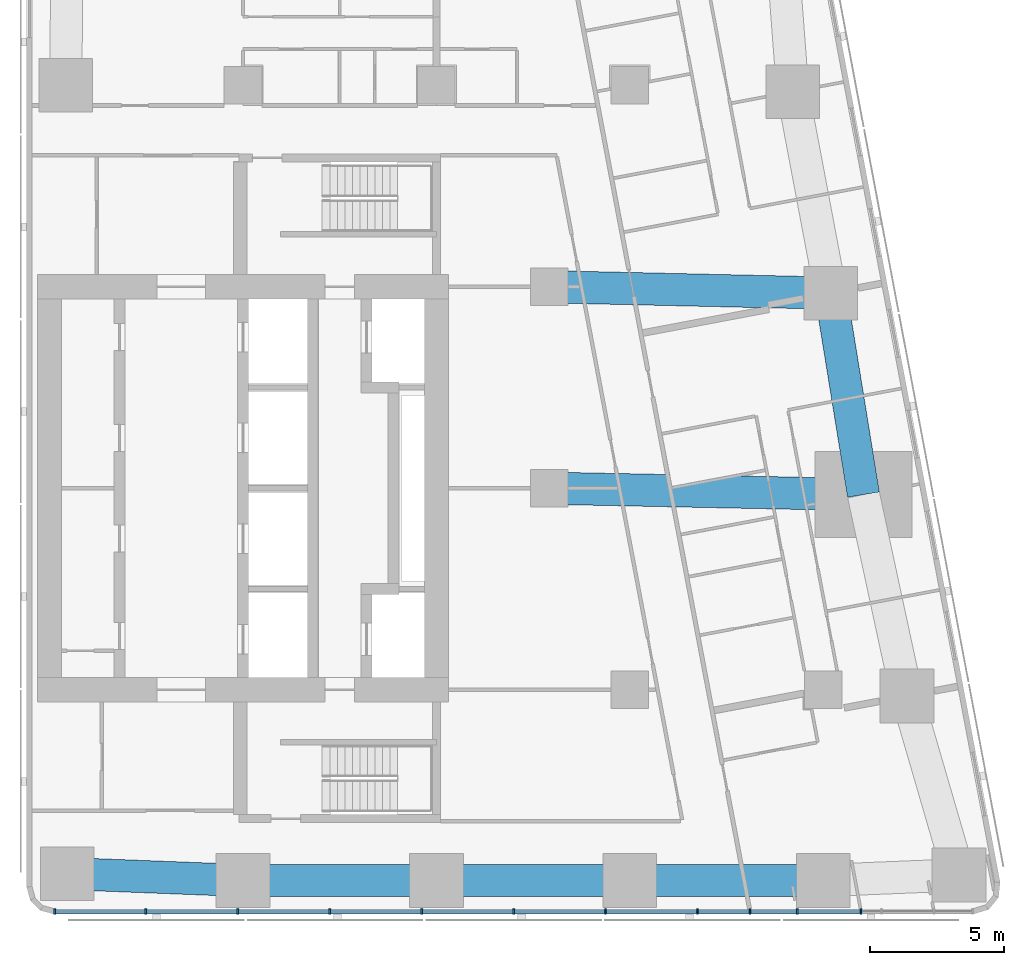
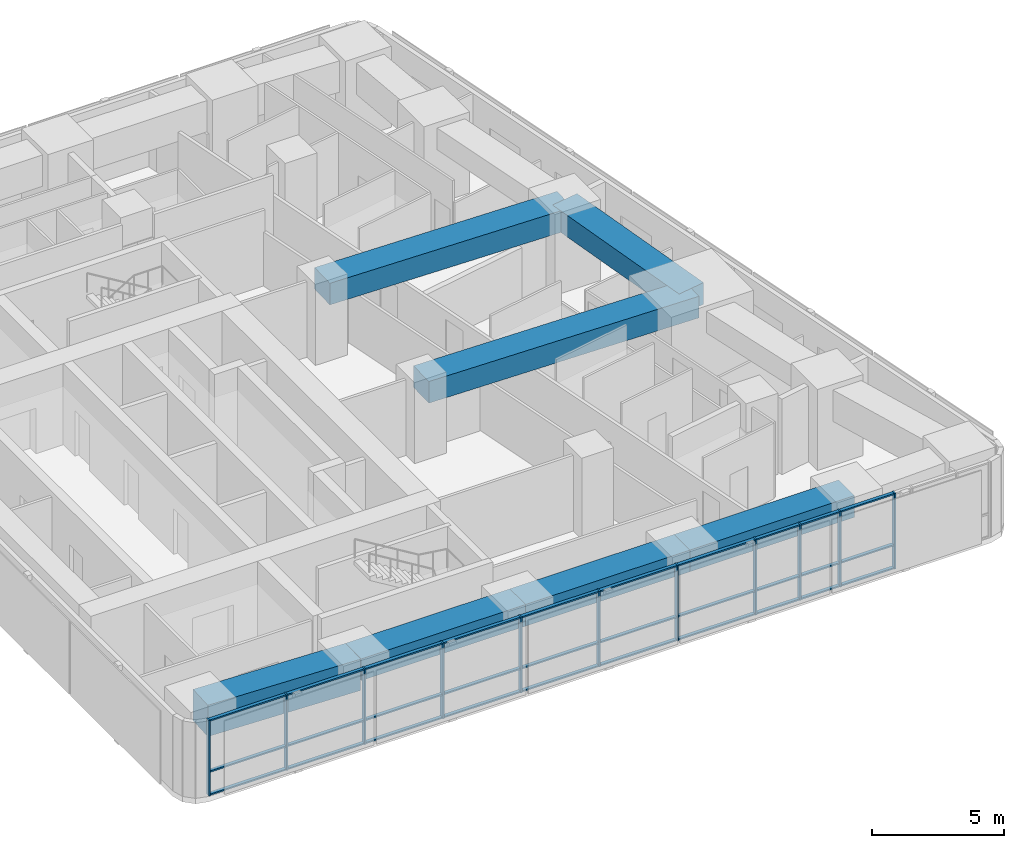
# One storey, part 2 of 11: 41 members, 7 beams, 1 element without a shape of its own.
"""IFC4 building model written with IfcOpenShell, lengths in metres."""

from ifc_helpers import new_model, si_unit, direction, frame, origin, origin_2d, place, context, subcontext, project, spatial, rectangle, extrude, material, material_profile, profile_set, type_object, element, aggregate, save


model = new_model("IFC4")

# Units and contexts
model_context = context("Model", 3, precision=1e-05, world=origin(), true_north=direction((0.0, 1.0)))
body_context = subcontext(model_context, "Body", "Model", "MODEL_VIEW")
ifc_project = project(units=[si_unit("LENGTHUNIT", "METRE"), si_unit("AREAUNIT", "SQUARE_METRE"), si_unit("VOLUMEUNIT", "CUBIC_METRE"), si_unit("PLANEANGLEUNIT", "RADIAN"), si_unit("MASSUNIT", "GRAM", prefix="KILO")], contexts=[model_context])

# Site, building, storey
site_placement = place(None, origin())
site = spatial("IfcSite", under=ifc_project, at=site_placement, CompositionType="ELEMENT")
building_placement = place(site_placement, origin())
building = spatial("IfcBuilding", under=site, at=building_placement, Name="Sheger Commons Tower", CompositionType="ELEMENT")
storey_placement = place(building_placement, frame((0.0, 0.0, 277.85009765625)))
storey = spatial("IfcBuildingStorey", under=building, at=storey_placement, Name="L71", CompositionType="ELEMENT", Elevation=277.85009765625)

# Beams
ifc_material_1 = material(Name="Concrete C50/60", Category="concrete")
ifc_material_profile_1 = material_profile(ifc_material_1, rectangle(XDim=1.199951171875, YDim=1.0, at=origin_2d()), Name="RC 1200x1000")
ifc_profile_set_1 = profile_set([ifc_material_profile_1], Name="Concrete C50/60")
beam_type_1 = type_object("IfcBeamType", Name="BEAM RC 1200x1000", PredefinedType="BEAM", material=ifc_profile_set_1)
beam_1_placement = place(storey_placement, frame((33.0, 22.5, 3.0), z_axis=(0.999794692776, -0.02026258368, 0.0), x_axis=(0.02026258368, 0.999794692776, 0.0)))
element("IfcBeam", 1, at=beam_1_placement, inside=storey, type_object=beam_type_1, Name="Beam 6-3000/D-7/D under L72", PredefinedType="BEAM", context=body_context, shape_type="SweptSolid", body=[
    extrude(rectangle(XDim=1.199951171875, YDim=1.0, at=origin_2d()), origin(), (0.0, 0.0, 1.0), 11.699462890625),
])
beam_2_placement = place(storey_placement, frame((33.0, 30.0, 3.0), z_axis=(0.999744258625, -0.022614538395, 0.0), x_axis=(0.022614538395, 0.999744258625, 0.0)))
element("IfcBeam", 2, at=beam_2_placement, inside=storey, type_object=beam_type_1, Name="Beam 6-3000/E-E/E under L72", PredefinedType="BEAM", context=body_context, shape_type="SweptSolid", body=[
    extrude(rectangle(XDim=1.199951171875, YDim=1.0, at=origin_2d()), origin(), (0.0, 0.0, 1.0), 10.482666015625),
])

# Curtain wall, members
ifc_material_2 = material(Name="Black aluminium curtain wall, dark tinted glazing", Category="aluminium")
curtain_wall_type = type_object("IfcCurtainWallType", Name="CURTAIN WALL CW5 SOUTH GALLERY", PredefinedType="USERDEFINED", material=ifc_material_2)
curtain_wall_placement = place(storey_placement, origin())
curtain_wall = element("IfcCurtainWall", 3, at=curtain_wall_placement, inside=storey, type_object=curtain_wall_type, Name="Curtain Wall Cw5 South Gallery S1 L71", ObjectType="UNITISED CURTAIN WALL", PredefinedType="USERDEFINED")
ifc_material_3 = material(Name="Black anodised aluminium", Category="aluminium")
ifc_material_profile_2 = material_profile(ifc_material_3, rectangle(XDim=0.199951171875, YDim=0.06494140625, at=origin_2d()), Name="AL 65x200")
ifc_profile_set_2 = profile_set([ifc_material_profile_2], Name="Black anodised aluminium")
member_type_1 = type_object("IfcMemberType", Name="MULLION AL 65x200", PredefinedType="MULLION", material=ifc_profile_set_2)
member_1_placement = place(storey_placement, frame((14.595458984375, 6.75, 0.0), z_axis=(0.0, 0.0, 1.0), x_axis=(0.0, 1.0, 0.0)))
member_1 = element("IfcMember", 4, at=member_1_placement, type_object=member_type_1, Name="CW5 mullion 1", PredefinedType="MULLION", context=body_context, shape_type="SweptSolid", body=[
    extrude(rectangle(XDim=0.199951171875, YDim=0.06494140625, at=origin_2d()), origin(), (0.0, 0.0, 1.0), 3.5),
])
member_2_placement = place(storey_placement, frame((17.985107421875, 6.75, 0.0), z_axis=(0.0, 0.0, 1.0), x_axis=(0.0, 1.0, 0.0)))
member_2 = element("IfcMember", 5, at=member_2_placement, type_object=member_type_1, Name="CW5 mullion 2", PredefinedType="MULLION", context=body_context, shape_type="SweptSolid", body=[
    extrude(rectangle(XDim=0.199951171875, YDim=0.06494140625, at=origin_2d()), origin(), (0.0, 0.0, 1.0), 3.5),
])
member_3_placement = place(storey_placement, frame((21.407958984375, 6.75, 0.0), z_axis=(0.0, 0.0, 1.0), x_axis=(0.0, 1.0, 0.0)))
member_3 = element("IfcMember", 6, at=member_3_placement, type_object=member_type_1, Name="CW5 mullion 3", PredefinedType="MULLION", context=body_context, shape_type="SweptSolid", body=[
    extrude(rectangle(XDim=0.199951171875, YDim=0.06494140625, at=origin_2d()), origin(), (0.0, 0.0, 1.0), 3.5),
])
member_4_placement = place(storey_placement, frame((24.830078125, 6.75, 0.0), z_axis=(0.0, 0.0, 1.0), x_axis=(0.0, 1.0, 0.0)))
member_4 = element("IfcMember", 7, at=member_4_placement, type_object=member_type_1, Name="CW5 mullion 4", PredefinedType="MULLION", context=body_context, shape_type="SweptSolid", body=[
    extrude(rectangle(XDim=0.199951171875, YDim=0.06494140625, at=origin_2d()), origin(), (0.0, 0.0, 1.0), 3.5),
])
member_5_placement = place(storey_placement, frame((28.2529296875, 6.75, 0.0), z_axis=(0.0, 0.0, 1.0), x_axis=(0.0, 1.0, 0.0)))
member_5 = element("IfcMember", 8, at=member_5_placement, type_object=member_type_1, Name="CW5 mullion 5", PredefinedType="MULLION", context=body_context, shape_type="SweptSolid", body=[
    extrude(rectangle(XDim=0.199951171875, YDim=0.06494140625, at=origin_2d()), origin(), (0.0, 0.0, 1.0), 3.5),
])
member_6_placement = place(storey_placement, frame((31.675048828125, 6.75, 0.0), z_axis=(0.0, 0.0, 1.0), x_axis=(0.0, 1.0, 0.0)))
member_6 = element("IfcMember", 9, at=member_6_placement, type_object=member_type_1, Name="CW5 mullion 6", PredefinedType="MULLION", context=body_context, shape_type="SweptSolid", body=[
    extrude(rectangle(XDim=0.199951171875, YDim=0.06494140625, at=origin_2d()), origin(), (0.0, 0.0, 1.0), 3.5),
])
member_7_placement = place(storey_placement, frame((35.096923828125, 6.75, 0.0), z_axis=(0.0, 0.0, 1.0), x_axis=(0.0, 1.0, 0.0)))
member_7 = element("IfcMember", 10, at=member_7_placement, type_object=member_type_1, Name="CW5 mullion 7", PredefinedType="MULLION", context=body_context, shape_type="SweptSolid", body=[
    extrude(rectangle(XDim=0.199951171875, YDim=0.06494140625, at=origin_2d()), origin(), (0.0, 0.0, 1.0), 3.5),
])
member_8_placement = place(storey_placement, frame((38.52001953125, 6.75, 0.0), z_axis=(0.0, 0.0, 1.0), x_axis=(0.0, 1.0, 0.0)))
member_8 = element("IfcMember", 11, at=member_8_placement, type_object=member_type_1, Name="CW5 mullion 8", PredefinedType="MULLION", context=body_context, shape_type="SweptSolid", body=[
    extrude(rectangle(XDim=0.199951171875, YDim=0.06494140625, at=origin_2d()), origin(), (0.0, 0.0, 1.0), 3.5),
])
member_9_placement = place(storey_placement, frame((40.47412109375, 6.75, 0.0), z_axis=(0.0, 0.0, 1.0), x_axis=(0.0, 1.0, 0.0)))
member_9 = element("IfcMember", 12, at=member_9_placement, type_object=member_type_1, Name="CW5 mullion 9", PredefinedType="MULLION", context=body_context, shape_type="SweptSolid", body=[
    extrude(rectangle(XDim=0.199951171875, YDim=0.06494140625, at=origin_2d()), origin(), (0.0, 0.0, 1.0), 3.5),
])
member_10_placement = place(storey_placement, frame((42.22802734375, 6.75, 0.0), z_axis=(0.0, 0.0, 1.0), x_axis=(0.0, 1.0, 0.0)))
member_10 = element("IfcMember", 13, at=member_10_placement, type_object=member_type_1, Name="CW5 mullion 10", PredefinedType="MULLION", context=body_context, shape_type="SweptSolid", body=[
    extrude(rectangle(XDim=0.199951171875, YDim=0.06494140625, at=origin_2d()), origin(), (0.0, 0.0, 1.0), 3.5),
])
member_11_placement = place(storey_placement, frame((44.60595703125, 6.75, 0.0), z_axis=(0.0, 0.0, 1.0), x_axis=(0.0, 1.0, 0.0)))
member_11 = element("IfcMember", 14, at=member_11_placement, type_object=member_type_1, Name="CW5 mullion 11", PredefinedType="MULLION", context=body_context, shape_type="SweptSolid", body=[
    extrude(rectangle(XDim=0.199951171875, YDim=0.06494140625, at=origin_2d()), origin(), (0.0, 0.0, 1.0), 3.5),
])

# Beams
ifc_material_4 = material(Name="Concrete C50/60", Category="concrete")
ifc_material_profile_3 = material_profile(ifc_material_4, rectangle(XDim=1.199951171875, YDim=1.0, at=origin_2d()), Name="RC 1200x1000")
ifc_profile_set_3 = profile_set([ifc_material_profile_3], Name="Concrete C50/60")
beam_type_2 = type_object("IfcBeamType", Name="SPANDREL RC 1200x1000", PredefinedType="SPANDREL", material=ifc_profile_set_3)
for number, where, z_axis, x_axis, name in (
    (15, (21.60009765625, 7.89990234375, 3.0), (1.0, 0.0, 0.0), (0.0, 1.0, 0.0), "Beam 4/B-5/B under L72"),
    (16, (28.800048828125, 7.89990234375, 3.0), (1.0, 0.0, 0.0), (0.0, 1.0, 0.0), "Beam 5/B-6/B under L72"),
    (17, (36.0, 7.89990234375, 3.0), (1.0, 0.0, 0.0), (0.0, 1.0, 0.0), "Beam 6/B-7/B under L72"),
):
    element("IfcBeam", number, at=place(storey_placement, frame(where, z_axis=z_axis, x_axis=x_axis)), inside=storey, type_object=beam_type_2, Name=name, PredefinedType="SPANDREL", context=body_context, shape_type="SweptSolid", body=[
        extrude(rectangle(XDim=1.199951171875, YDim=1.0, at=origin_2d()), origin(), (0.0, 0.0, 1.0), 7.199951171875),
    ])
beam_3_placement = place(storey_placement, frame((44.697021484375, 22.262939453125, 3.0), z_axis=(-0.160176929512, 0.987088319884, 0.0), x_axis=(-0.987088319884, -0.160176929512, 0.0)))
element("IfcBeam", 18, at=beam_3_placement, inside=storey, type_object=beam_type_2, Name="Beam E/D-E/E under L72", PredefinedType="SPANDREL", context=body_context, shape_type="SweptSolid", body=[
    extrude(rectangle(XDim=1.199951171875, YDim=1.0, at=origin_2d()), origin(), (0.0, 0.0, 1.0), 7.59814453125),
])
ifc_material_5 = material(Name="Concrete C50/60", Category="concrete")
ifc_material_profile_4 = material_profile(ifc_material_5, rectangle(XDim=1.199951171875, YDim=1.449951171875, at=origin_2d()), Name="RC 1200x1450")
ifc_profile_set_4 = profile_set([ifc_material_profile_4], Name="Concrete C50/60")
beam_type_3 = type_object("IfcBeamType", Name="SPANDREL RC 1200x1450", PredefinedType="SPANDREL", material=ifc_profile_set_4)
beam_4_placement = place(storey_placement, frame((15.053955078125, 8.154052734375, 2.77490234375), z_axis=(0.999247181966, -0.038795223079, 0.0), x_axis=(0.038795223079, 0.999247181966, 0.0)))
element("IfcBeam", 19, at=beam_4_placement, inside=storey, type_object=beam_type_3, Name="Beam 3/B-4/B under L72", PredefinedType="SPANDREL", context=body_context, shape_type="SweptSolid", body=[
    extrude(rectangle(XDim=1.199951171875, YDim=1.449951171875, at=origin_2d()), origin(), (0.0, 0.0, 1.0), 6.551025390625),
])

# Member
ifc_material_6 = material(Name="Black anodised aluminium", Category="aluminium")
ifc_material_profile_5 = material_profile(ifc_material_6, rectangle(XDim=0.14990234375, YDim=0.06494140625, at=origin_2d()), Name="AL 65x150")
ifc_profile_set_5 = profile_set([ifc_material_profile_5], Name="Black anodised aluminium")
member_type_2 = type_object("IfcMemberType", Name="TRANSOM AL 65x150", PredefinedType="USERDEFINED", material=ifc_profile_set_5)
member_12_placement = place(storey_placement, frame((14.6279296875, 6.75, 0.032470703125), z_axis=(1.0, 0.0, 0.0), x_axis=(0.0, 1.0, 0.0)))
member_12 = element("IfcMember", 20, at=member_12_placement, type_object=member_type_2, Name="CW5 transom 1.1", ObjectType="TRANSOM", PredefinedType="USERDEFINED", context=body_context, shape_type="SweptSolid", body=[
    extrude(rectangle(XDim=0.14990234375, YDim=0.06494140625, at=origin_2d()), origin(), (0.0, 0.0, 1.0), 3.324462890625),
])

member_13_placement = place(storey_placement, frame((14.6279296875, 6.75, 1.099853515625), z_axis=(1.0, 0.0, 0.0), x_axis=(0.0, 1.0, 0.0)))
member_13 = element("IfcMember", 21, at=member_13_placement, type_object=member_type_2, Name="CW5 transom 1.2", ObjectType="TRANSOM", PredefinedType="USERDEFINED", context=body_context, shape_type="SweptSolid", body=[
    extrude(rectangle(XDim=0.14990234375, YDim=0.06494140625, at=origin_2d()), origin(), (0.0, 0.0, 1.0), 3.324462890625),
])

member_14_placement = place(storey_placement, frame((14.6279296875, 6.75, 3.46728515625), z_axis=(1.0, 0.0, 0.0), x_axis=(0.0, 1.0, 0.0)))
member_14 = element("IfcMember", 22, at=member_14_placement, type_object=member_type_2, Name="CW5 transom 1.3", ObjectType="TRANSOM", PredefinedType="USERDEFINED", context=body_context, shape_type="SweptSolid", body=[
    extrude(rectangle(XDim=0.14990234375, YDim=0.06494140625, at=origin_2d()), origin(), (0.0, 0.0, 1.0), 3.324462890625),
])

member_15_placement = place(storey_placement, frame((18.017578125, 6.75, 0.032470703125), z_axis=(1.0, 0.0, 0.0), x_axis=(0.0, 1.0, 0.0)))
member_15 = element("IfcMember", 23, at=member_15_placement, type_object=member_type_2, Name="CW5 transom 2.1", ObjectType="TRANSOM", PredefinedType="USERDEFINED", context=body_context, shape_type="SweptSolid", body=[
    extrude(rectangle(XDim=0.14990234375, YDim=0.06494140625, at=origin_2d()), origin(), (0.0, 0.0, 1.0), 3.35791015625),
])

member_16_placement = place(storey_placement, frame((18.017578125, 6.75, 1.099853515625), z_axis=(1.0, 0.0, 0.0), x_axis=(0.0, 1.0, 0.0)))
member_16 = element("IfcMember", 24, at=member_16_placement, type_object=member_type_2, Name="CW5 transom 2.2", ObjectType="TRANSOM", PredefinedType="USERDEFINED", context=body_context, shape_type="SweptSolid", body=[
    extrude(rectangle(XDim=0.14990234375, YDim=0.06494140625, at=origin_2d()), origin(), (0.0, 0.0, 1.0), 3.35791015625),
])

member_17_placement = place(storey_placement, frame((18.017578125, 6.75, 3.46728515625), z_axis=(1.0, 0.0, 0.0), x_axis=(0.0, 1.0, 0.0)))
member_17 = element("IfcMember", 25, at=member_17_placement, type_object=member_type_2, Name="CW5 transom 2.3", ObjectType="TRANSOM", PredefinedType="USERDEFINED", context=body_context, shape_type="SweptSolid", body=[
    extrude(rectangle(XDim=0.14990234375, YDim=0.06494140625, at=origin_2d()), origin(), (0.0, 0.0, 1.0), 3.35791015625),
])

member_18_placement = place(storey_placement, frame((21.4404296875, 6.75, 0.032470703125), z_axis=(1.0, 0.0, 0.0), x_axis=(0.0, 1.0, 0.0)))
member_18 = element("IfcMember", 26, at=member_18_placement, type_object=member_type_2, Name="CW5 transom 3.1", ObjectType="TRANSOM", PredefinedType="USERDEFINED", context=body_context, shape_type="SweptSolid", body=[
    extrude(rectangle(XDim=0.14990234375, YDim=0.06494140625, at=origin_2d()), origin(), (0.0, 0.0, 1.0), 3.357177734375),
])

member_19_placement = place(storey_placement, frame((21.4404296875, 6.75, 1.099853515625), z_axis=(1.0, 0.0, 0.0), x_axis=(0.0, 1.0, 0.0)))
member_19 = element("IfcMember", 27, at=member_19_placement, type_object=member_type_2, Name="CW5 transom 3.2", ObjectType="TRANSOM", PredefinedType="USERDEFINED", context=body_context, shape_type="SweptSolid", body=[
    extrude(rectangle(XDim=0.14990234375, YDim=0.06494140625, at=origin_2d()), origin(), (0.0, 0.0, 1.0), 3.357177734375),
])

member_20_placement = place(storey_placement, frame((21.4404296875, 6.75, 3.46728515625), z_axis=(1.0, 0.0, 0.0), x_axis=(0.0, 1.0, 0.0)))
member_20 = element("IfcMember", 28, at=member_20_placement, type_object=member_type_2, Name="CW5 transom 3.3", ObjectType="TRANSOM", PredefinedType="USERDEFINED", context=body_context, shape_type="SweptSolid", body=[
    extrude(rectangle(XDim=0.14990234375, YDim=0.06494140625, at=origin_2d()), origin(), (0.0, 0.0, 1.0), 3.357177734375),
])

member_21_placement = place(storey_placement, frame((24.862548828125, 6.75, 0.032470703125), z_axis=(1.0, 0.0, 0.0), x_axis=(0.0, 1.0, 0.0)))
member_21 = element("IfcMember", 29, at=member_21_placement, type_object=member_type_2, Name="CW5 transom 4.1", ObjectType="TRANSOM", PredefinedType="USERDEFINED", context=body_context, shape_type="SweptSolid", body=[
    extrude(rectangle(XDim=0.14990234375, YDim=0.06494140625, at=origin_2d()), origin(), (0.0, 0.0, 1.0), 3.35791015625),
])

member_22_placement = place(storey_placement, frame((24.862548828125, 6.75, 1.099853515625), z_axis=(1.0, 0.0, 0.0), x_axis=(0.0, 1.0, 0.0)))
member_22 = element("IfcMember", 30, at=member_22_placement, type_object=member_type_2, Name="CW5 transom 4.2", ObjectType="TRANSOM", PredefinedType="USERDEFINED", context=body_context, shape_type="SweptSolid", body=[
    extrude(rectangle(XDim=0.14990234375, YDim=0.06494140625, at=origin_2d()), origin(), (0.0, 0.0, 1.0), 3.35791015625),
])

member_23_placement = place(storey_placement, frame((24.862548828125, 6.75, 3.46728515625), z_axis=(1.0, 0.0, 0.0), x_axis=(0.0, 1.0, 0.0)))
member_23 = element("IfcMember", 31, at=member_23_placement, type_object=member_type_2, Name="CW5 transom 4.3", ObjectType="TRANSOM", PredefinedType="USERDEFINED", context=body_context, shape_type="SweptSolid", body=[
    extrude(rectangle(XDim=0.14990234375, YDim=0.06494140625, at=origin_2d()), origin(), (0.0, 0.0, 1.0), 3.35791015625),
])

member_24_placement = place(storey_placement, frame((28.285400390625, 6.75, 0.032470703125), z_axis=(1.0, 0.0, 0.0), x_axis=(0.0, 1.0, 0.0)))
member_24 = element("IfcMember", 32, at=member_24_placement, type_object=member_type_2, Name="CW5 transom 5.1", ObjectType="TRANSOM", PredefinedType="USERDEFINED", context=body_context, shape_type="SweptSolid", body=[
    extrude(rectangle(XDim=0.14990234375, YDim=0.06494140625, at=origin_2d()), origin(), (0.0, 0.0, 1.0), 3.357177734375),
])

member_25_placement = place(storey_placement, frame((28.285400390625, 6.75, 1.099853515625), z_axis=(1.0, 0.0, 0.0), x_axis=(0.0, 1.0, 0.0)))
member_25 = element("IfcMember", 33, at=member_25_placement, type_object=member_type_2, Name="CW5 transom 5.2", ObjectType="TRANSOM", PredefinedType="USERDEFINED", context=body_context, shape_type="SweptSolid", body=[
    extrude(rectangle(XDim=0.14990234375, YDim=0.06494140625, at=origin_2d()), origin(), (0.0, 0.0, 1.0), 3.357177734375),
])

member_26_placement = place(storey_placement, frame((28.285400390625, 6.75, 3.46728515625), z_axis=(1.0, 0.0, 0.0), x_axis=(0.0, 1.0, 0.0)))
member_26 = element("IfcMember", 34, at=member_26_placement, type_object=member_type_2, Name="CW5 transom 5.3", ObjectType="TRANSOM", PredefinedType="USERDEFINED", context=body_context, shape_type="SweptSolid", body=[
    extrude(rectangle(XDim=0.14990234375, YDim=0.06494140625, at=origin_2d()), origin(), (0.0, 0.0, 1.0), 3.357177734375),
])

member_27_placement = place(storey_placement, frame((31.70751953125, 6.75, 0.032470703125), z_axis=(1.0, 0.0, 0.0), x_axis=(0.0, 1.0, 0.0)))
member_27 = element("IfcMember", 35, at=member_27_placement, type_object=member_type_2, Name="CW5 transom 6.1", ObjectType="TRANSOM", PredefinedType="USERDEFINED", context=body_context, shape_type="SweptSolid", body=[
    extrude(rectangle(XDim=0.14990234375, YDim=0.06494140625, at=origin_2d()), origin(), (0.0, 0.0, 1.0), 3.35693359375),
])

member_28_placement = place(storey_placement, frame((31.70751953125, 6.75, 1.099853515625), z_axis=(1.0, 0.0, 0.0), x_axis=(0.0, 1.0, 0.0)))
member_28 = element("IfcMember", 36, at=member_28_placement, type_object=member_type_2, Name="CW5 transom 6.2", ObjectType="TRANSOM", PredefinedType="USERDEFINED", context=body_context, shape_type="SweptSolid", body=[
    extrude(rectangle(XDim=0.14990234375, YDim=0.06494140625, at=origin_2d()), origin(), (0.0, 0.0, 1.0), 3.35693359375),
])

member_29_placement = place(storey_placement, frame((31.70751953125, 6.75, 3.46728515625), z_axis=(1.0, 0.0, 0.0), x_axis=(0.0, 1.0, 0.0)))
member_29 = element("IfcMember", 37, at=member_29_placement, type_object=member_type_2, Name="CW5 transom 6.3", ObjectType="TRANSOM", PredefinedType="USERDEFINED", context=body_context, shape_type="SweptSolid", body=[
    extrude(rectangle(XDim=0.14990234375, YDim=0.06494140625, at=origin_2d()), origin(), (0.0, 0.0, 1.0), 3.35693359375),
])

member_30_placement = place(storey_placement, frame((35.12939453125, 6.75, 0.032470703125), z_axis=(1.0, 0.0, 0.0), x_axis=(0.0, 1.0, 0.0)))
member_30 = element("IfcMember", 38, at=member_30_placement, type_object=member_type_2, Name="CW5 transom 7.1", ObjectType="TRANSOM", PredefinedType="USERDEFINED", context=body_context, shape_type="SweptSolid", body=[
    extrude(rectangle(XDim=0.14990234375, YDim=0.06494140625, at=origin_2d()), origin(), (0.0, 0.0, 1.0), 3.358154296875),
])

member_31_placement = place(storey_placement, frame((35.12939453125, 6.75, 1.099853515625), z_axis=(1.0, 0.0, 0.0), x_axis=(0.0, 1.0, 0.0)))
member_31 = element("IfcMember", 39, at=member_31_placement, type_object=member_type_2, Name="CW5 transom 7.2", ObjectType="TRANSOM", PredefinedType="USERDEFINED", context=body_context, shape_type="SweptSolid", body=[
    extrude(rectangle(XDim=0.14990234375, YDim=0.06494140625, at=origin_2d()), origin(), (0.0, 0.0, 1.0), 3.358154296875),
])

member_32_placement = place(storey_placement, frame((35.12939453125, 6.75, 3.46728515625), z_axis=(1.0, 0.0, 0.0), x_axis=(0.0, 1.0, 0.0)))
member_32 = element("IfcMember", 40, at=member_32_placement, type_object=member_type_2, Name="CW5 transom 7.3", ObjectType="TRANSOM", PredefinedType="USERDEFINED", context=body_context, shape_type="SweptSolid", body=[
    extrude(rectangle(XDim=0.14990234375, YDim=0.06494140625, at=origin_2d()), origin(), (0.0, 0.0, 1.0), 3.358154296875),
])

member_33_placement = place(storey_placement, frame((38.552490234375, 6.75, 0.032470703125), z_axis=(1.0, 0.0, 0.0), x_axis=(0.0, 1.0, 0.0)))
member_33 = element("IfcMember", 41, at=member_33_placement, type_object=member_type_2, Name="CW5 transom 8.1", ObjectType="TRANSOM", PredefinedType="USERDEFINED", context=body_context, shape_type="SweptSolid", body=[
    extrude(rectangle(XDim=0.14990234375, YDim=0.06494140625, at=origin_2d()), origin(), (0.0, 0.0, 1.0), 1.888916015625),
])

member_34_placement = place(storey_placement, frame((38.552490234375, 6.75, 1.099853515625), z_axis=(1.0, 0.0, 0.0), x_axis=(0.0, 1.0, 0.0)))
member_34 = element("IfcMember", 42, at=member_34_placement, type_object=member_type_2, Name="CW5 transom 8.2", ObjectType="TRANSOM", PredefinedType="USERDEFINED", context=body_context, shape_type="SweptSolid", body=[
    extrude(rectangle(XDim=0.14990234375, YDim=0.06494140625, at=origin_2d()), origin(), (0.0, 0.0, 1.0), 1.888916015625),
])

member_35_placement = place(storey_placement, frame((38.552490234375, 6.75, 3.46728515625), z_axis=(1.0, 0.0, 0.0), x_axis=(0.0, 1.0, 0.0)))
member_35 = element("IfcMember", 43, at=member_35_placement, type_object=member_type_2, Name="CW5 transom 8.3", ObjectType="TRANSOM", PredefinedType="USERDEFINED", context=body_context, shape_type="SweptSolid", body=[
    extrude(rectangle(XDim=0.14990234375, YDim=0.06494140625, at=origin_2d()), origin(), (0.0, 0.0, 1.0), 1.888916015625),
])

member_36_placement = place(storey_placement, frame((40.506591796875, 6.75, 0.032470703125), z_axis=(1.0, 0.0, 0.0), x_axis=(0.0, 1.0, 0.0)))
member_36 = element("IfcMember", 44, at=member_36_placement, type_object=member_type_2, Name="CW5 transom 9.1", ObjectType="TRANSOM", PredefinedType="USERDEFINED", context=body_context, shape_type="SweptSolid", body=[
    extrude(rectangle(XDim=0.14990234375, YDim=0.06494140625, at=origin_2d()), origin(), (0.0, 0.0, 1.0), 1.68896484375),
])

member_37_placement = place(storey_placement, frame((40.506591796875, 6.75, 1.099853515625), z_axis=(1.0, 0.0, 0.0), x_axis=(0.0, 1.0, 0.0)))
member_37 = element("IfcMember", 45, at=member_37_placement, type_object=member_type_2, Name="CW5 transom 9.2", ObjectType="TRANSOM", PredefinedType="USERDEFINED", context=body_context, shape_type="SweptSolid", body=[
    extrude(rectangle(XDim=0.14990234375, YDim=0.06494140625, at=origin_2d()), origin(), (0.0, 0.0, 1.0), 1.68896484375),
])

member_38_placement = place(storey_placement, frame((40.506591796875, 6.75, 3.46728515625), z_axis=(1.0, 0.0, 0.0), x_axis=(0.0, 1.0, 0.0)))
member_38 = element("IfcMember", 46, at=member_38_placement, type_object=member_type_2, Name="CW5 transom 9.3", ObjectType="TRANSOM", PredefinedType="USERDEFINED", context=body_context, shape_type="SweptSolid", body=[
    extrude(rectangle(XDim=0.14990234375, YDim=0.06494140625, at=origin_2d()), origin(), (0.0, 0.0, 1.0), 1.68896484375),
])

member_39_placement = place(storey_placement, frame((42.260498046875, 6.75, 0.032470703125), z_axis=(1.0, 0.0, 0.0), x_axis=(0.0, 1.0, 0.0)))
member_39 = element("IfcMember", 47, at=member_39_placement, type_object=member_type_2, Name="CW5 transom 10.1", ObjectType="TRANSOM", PredefinedType="USERDEFINED", context=body_context, shape_type="SweptSolid", body=[
    extrude(rectangle(XDim=0.14990234375, YDim=0.06494140625, at=origin_2d()), origin(), (0.0, 0.0, 1.0), 2.31298828125),
])

member_40_placement = place(storey_placement, frame((42.260498046875, 6.75, 1.099853515625), z_axis=(1.0, 0.0, 0.0), x_axis=(0.0, 1.0, 0.0)))
member_40 = element("IfcMember", 48, at=member_40_placement, type_object=member_type_2, Name="CW5 transom 10.2", ObjectType="TRANSOM", PredefinedType="USERDEFINED", context=body_context, shape_type="SweptSolid", body=[
    extrude(rectangle(XDim=0.14990234375, YDim=0.06494140625, at=origin_2d()), origin(), (0.0, 0.0, 1.0), 2.31298828125),
])

member_41_placement = place(storey_placement, frame((42.260498046875, 6.75, 3.46728515625), z_axis=(1.0, 0.0, 0.0), x_axis=(0.0, 1.0, 0.0)))
member_41 = element("IfcMember", 49, at=member_41_placement, type_object=member_type_2, Name="CW5 transom 10.3", ObjectType="TRANSOM", PredefinedType="USERDEFINED", context=body_context, shape_type="SweptSolid", body=[
    extrude(rectangle(XDim=0.14990234375, YDim=0.06494140625, at=origin_2d()), origin(), (0.0, 0.0, 1.0), 2.31298828125),
])

aggregate(curtain_wall, [member_1, member_2, member_3, member_4, member_5, member_6, member_7, member_8, member_9, member_10, member_11, member_12, member_13, member_14, member_15, member_16, member_17, member_18, member_19, member_20, member_21, member_22, member_23, member_24, member_25, member_26, member_27, member_28, member_29, member_30, member_31, member_32, member_33, member_34, member_35, member_36, member_37, member_38, member_39, member_40, member_41])

save(model, "model.ifc")
